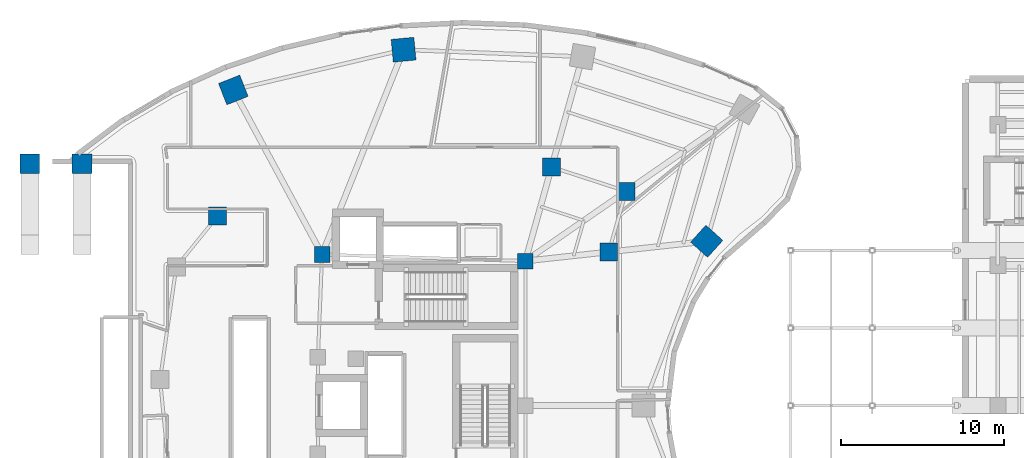
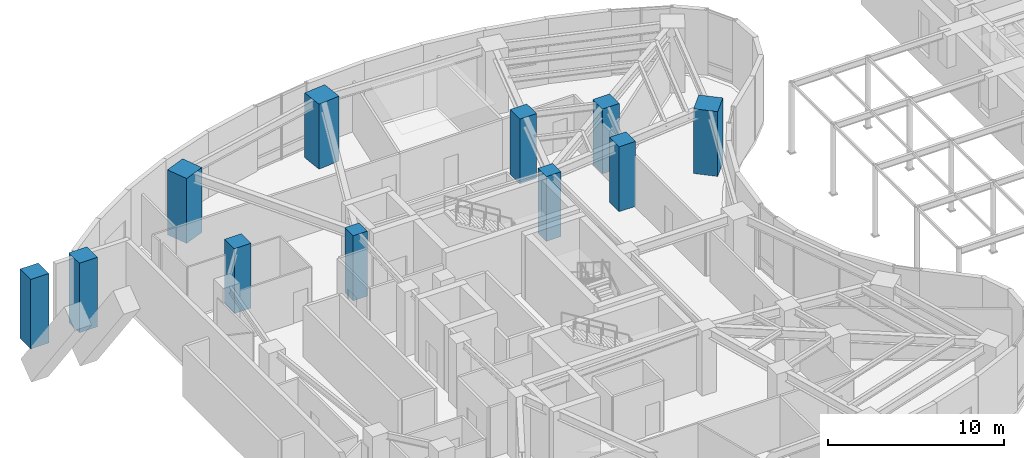
# One storey, part 3 of 24: 11 columns.
"""IFC4 building model written with IfcOpenShell, lengths in metres."""

from ifc_helpers import new_model, si_unit, direction, frame, origin, origin_2d, place, context, subcontext, project, spatial, rectangle, extrude, material, material_profile, profile_set, type_object, element, save


model = new_model("IFC4")

# Units and contexts
model_context = context("Model", 3, precision=1e-05, world=origin(), true_north=direction((0.0, 1.0)))
body_context = subcontext(model_context, "Body", "Model", "MODEL_VIEW")
ifc_project = project(units=[si_unit("LENGTHUNIT", "METRE"), si_unit("AREAUNIT", "SQUARE_METRE"), si_unit("VOLUMEUNIT", "CUBIC_METRE"), si_unit("PLANEANGLEUNIT", "RADIAN"), si_unit("MASSUNIT", "GRAM", prefix="KILO")], contexts=[model_context])

# Site, building, storey
site_placement = place(None, origin())
site = spatial("IfcSite", under=ifc_project, at=site_placement, CompositionType="ELEMENT")
building_placement = place(site_placement, origin())
building = spatial("IfcBuilding", under=site, at=building_placement, Name="Korentha Bioscience Tower", CompositionType="ELEMENT")
storey_placement = place(building_placement, frame((0.0, 0.0, 5.39990234375)))
storey = spatial("IfcBuildingStorey", under=building, at=storey_placement, Name="L01", CompositionType="ELEMENT", Elevation=5.39990234375)

# Columns
ifc_material_1 = material(Name="Concrete C65", Category="concrete")
ifc_material_profile_1 = material_profile(ifc_material_1, rectangle(XDim=0.949951171875, YDim=0.949951171875, at=origin_2d()), Name="Concrete C65")
ifc_profile_set_1 = profile_set([ifc_material_profile_1], Name="Concrete C65 (COL-CP09)")
column_type_1 = type_object("IfcColumnType", Name="Core Pilaster Column RC 950x950", PredefinedType="PILASTER", material=ifc_profile_set_1)
for number, where, z_axis, x_axis, name in (
    (1, (37.550048828125, 35.85009765625, -0.00048828125), (0.0, 0.0, 1.0), (1.0, 0.0, 0.0), "L01 Core Pilaster CP-01"),
    (2, (25.10009765625, 36.25, -0.00048828125), (0.0, 0.0, 1.0), (1.0, 0.0, 0.0), "L01 Core Pilaster CP-02"),
):
    element("IfcColumn", number, at=place(storey_placement, frame(where, z_axis=z_axis, x_axis=x_axis)), inside=storey, type_object=column_type_1, Name=name, PredefinedType="PILASTER", context=body_context, shape_type="SweptSolid", body=[
        extrude(rectangle(XDim=0.949951171875, YDim=0.949951171875, at=origin_2d()), origin(), (0.0, 0.0, 1.0), 4.5009765625),
    ])
ifc_material_2 = material(Name="Concrete C80", Category="concrete")
ifc_material_profile_2 = material_profile(ifc_material_2, rectangle(XDim=1.10009765625, YDim=1.10009765625, at=origin_2d()), Name="Concrete C80")
ifc_profile_set_2 = profile_set([ifc_material_profile_2], Name="Concrete C80 (COL-MR11)")
column_type_2 = type_object("IfcColumnType", Name="Mid-Ring Lab Column RC 1100x1100", PredefinedType="COLUMN", material=ifc_profile_set_2)
for number, where, z_axis, x_axis, name in (
    (3, (43.7265625, 40.121337890625, -0.00048828125), (0.0, 0.0, 1.0), (1.0, 0.0, 0.0), "L01 Mid-Ring Column 01"),
    (4, (39.1611328125, 41.607666015625, -0.00048828125), (0.0, 0.0, 1.0), (1.0, 0.0, 0.0), "L01 Mid-Ring Column 02"),
    (5, (18.692138671875, 38.5947265625, -0.00048828125), (0.0, 0.0, 1.0), (1.0, 0.0, 0.0), "L01 Mid-Ring Column 05"),
    (6, (42.66162109375, 36.406982421875, -0.00048828125), (0.0, 0.0, 1.0), (1.0, 0.0, 0.0), "L01 Mid-Ring Column 16"),
):
    element("IfcColumn", number, at=place(storey_placement, frame(where, z_axis=z_axis, x_axis=x_axis)), inside=storey, type_object=column_type_2, Name=name, PredefinedType="COLUMN", context=body_context, shape_type="SweptSolid", body=[
        extrude(rectangle(XDim=1.10009765625, YDim=1.10009765625, at=origin_2d()), origin(), (0.0, 0.0, 1.0), 4.5009765625),
    ])
ifc_material_profile_3 = material_profile(ifc_material_2, rectangle(XDim=1.199951171875, YDim=1.199951171875, at=origin_2d()), Name="Concrete C80")
ifc_profile_set_3 = profile_set([ifc_material_profile_3], Name="Concrete C80 (COL-P12)")
column_type_3 = type_object("IfcColumnType", Name="Perimeter Column RC 1200x1200", PredefinedType="COLUMN", material=ifc_profile_set_3)
for number, where, z_axis, x_axis, name in (
    (7, (7.199951171875, 41.800048828125, -0.31982421875), (0.0, 0.0, 1.0), (1.0, 0.0, 0.0), "L01 Arch End Pier 1-N"),
    (8, (10.39990234375, 41.800048828125, -0.31982421875), (0.0, 0.0, 1.0), (1.0, 0.0, 0.0), "L01 Arch End Pier 2-N"),
):
    element("IfcColumn", number, at=place(storey_placement, frame(where, z_axis=z_axis, x_axis=x_axis)), inside=storey, type_object=column_type_3, Name=name, PredefinedType="COLUMN", context=body_context, shape_type="SweptSolid", body=[
        extrude(rectangle(XDim=1.199951171875, YDim=1.199951171875, at=origin_2d()), origin(), (0.0, 0.0, 1.0), 4.81982421875),
    ])
ifc_material_profile_4 = material_profile(ifc_material_2, rectangle(XDim=1.39990234375, YDim=1.39990234375, at=origin_2d()), Name="Concrete C80")
ifc_profile_set_4 = profile_set([ifc_material_profile_4], Name="Concrete C80 (COL-P14)")
column_type_4 = type_object("IfcColumnType", Name="Perimeter Column RC 1400x1400", PredefinedType="COLUMN", material=ifc_profile_set_4)
for number, where, z_axis, x_axis, name in (
    (9, (30.09423828125, 48.79248046875, -0.00048828125), (0.0, 0.0, 1.0), (0.995462868748, 0.095150811579, 0.0), "L01 Perimeter Column 03"),
    (10, (19.66650390625, 46.328857421875, -0.00048828125), (0.0, 0.0, 1.0), (0.930225540858, 0.366988341962, 0.0), "L01 Perimeter Column 04"),
    (11, (48.661865234375, 37.060791015625, -0.00048828125), (0.0, 0.0, 1.0), (0.669130606359, 0.743144825477, 0.0), "L01 Perimeter Column 16"),
):
    element("IfcColumn", number, at=place(storey_placement, frame(where, z_axis=z_axis, x_axis=x_axis)), inside=storey, type_object=column_type_4, Name=name, PredefinedType="COLUMN", context=body_context, shape_type="SweptSolid", body=[
        extrude(rectangle(XDim=1.39990234375, YDim=1.39990234375, at=origin_2d()), origin(), (0.0, 0.0, 1.0), 4.5009765625),
    ])

save(model, "model.ifc")
